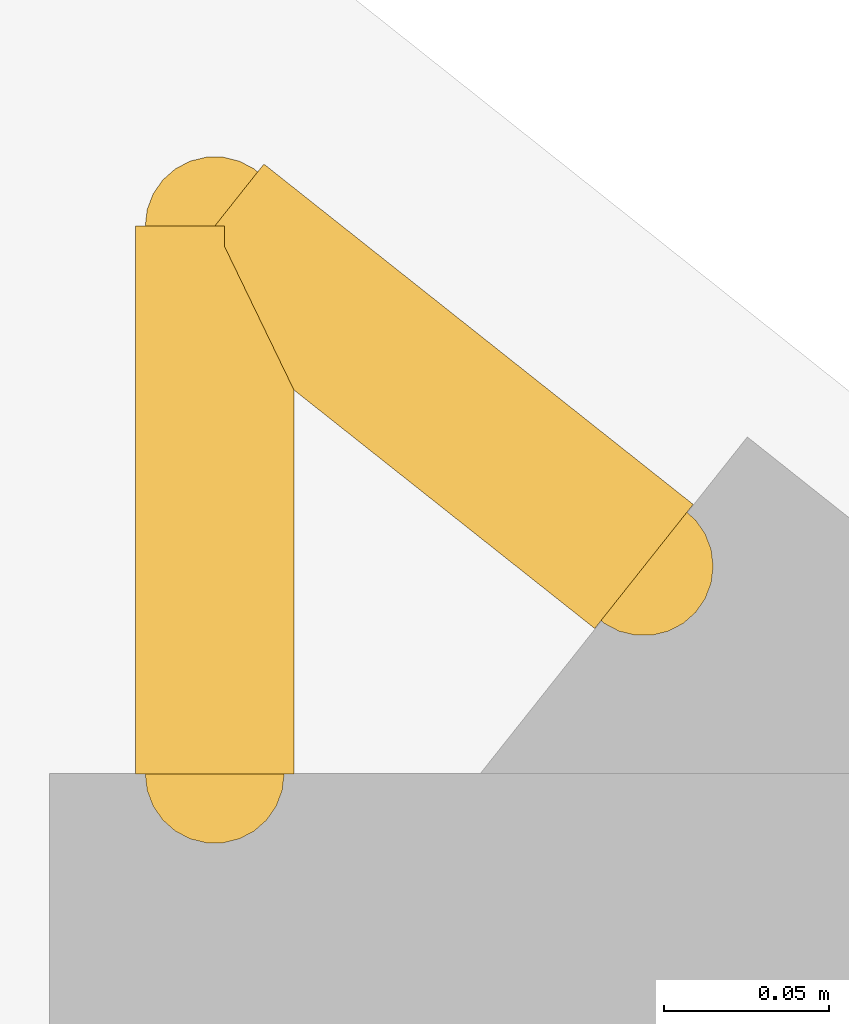
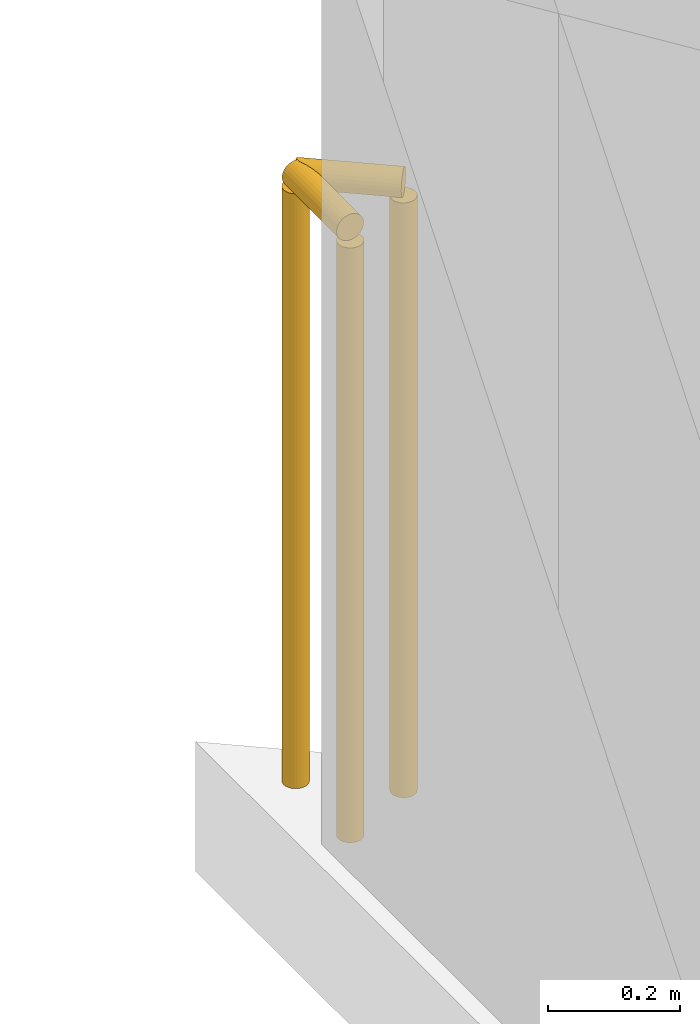
# One storey, part 16 of 16: 2 railings.
"""IFC4 building model written with IfcOpenShell, lengths in metres."""

from ifc_helpers import new_model, si_unit, direction, frame, origin, origin_2d, place, context, subcontext, project, spatial, circle, extrude, material, type_object, element, save


model = new_model("IFC4")

# Units and contexts
model_context = context("Model", 3, precision=1e-05, world=origin(), true_north=direction((0.0, 1.0)))
body_context = subcontext(model_context, "Body", "Model", "MODEL_VIEW")
ifc_project = project(units=[si_unit("LENGTHUNIT", "METRE"), si_unit("AREAUNIT", "SQUARE_METRE"), si_unit("VOLUMEUNIT", "CUBIC_METRE"), si_unit("PLANEANGLEUNIT", "RADIAN"), si_unit("MASSUNIT", "GRAM", prefix="KILO")], contexts=[model_context])

# Site, building, storey
site_placement = place(None, origin())
site = spatial("IfcSite", under=ifc_project, at=site_placement, CompositionType="ELEMENT")
building_placement = place(site_placement, origin())
building = spatial("IfcBuilding", under=site, at=building_placement, Name="Varnakote Quay Hospital", CompositionType="ELEMENT")
storey_placement = place(building_placement, frame((0.0, 0.0, 264.449951171875)))
storey = spatial("IfcBuildingStorey", under=building, at=storey_placement, Name="L65", CompositionType="ELEMENT", Elevation=264.449951171875)

# Railings
ifc_material = material(Name="Anodised aluminium 6063-T6 Bronze", Category="aluminium")
railing_type = type_object("IfcRailingType", Name="RLG-EXT-GUARD-1150", PredefinedType="GUARDRAIL", material=ifc_material)
railing_1_placement = place(storey_placement, frame((2.47998046875, 41.268798828125, 0.0)))
element("IfcRailing", 1, at=railing_1_placement, inside=storey, type_object=railing_type, Name="L65 Slab Edge Perimeter Safety Guard", PredefinedType="GUARDRAIL", context=body_context, shape_type="SweptSolid", body=[
    extrude(circle(Radius=0.02392578125, at=origin_2d()), frame((0.0, 0.0, 1.1259765625), z_axis=(0.0, 1.0, 0.0), x_axis=(-1.0, 0.0, 0.0)), (0.0, 0.0, 1.0), 0.16552734375),
    extrude(circle(Radius=0.02099609375, at=origin_2d()), origin(), (0.0, 0.0, 1.0), 1.101806640625),
    extrude(circle(Radius=0.02099609375, at=origin_2d()), frame((0.0, 0.16552734375, 0.0)), (0.0, 0.0, 1.0), 1.101806640625),
])
railing_2_placement = place(storey_placement, frame((2.47998046875, 41.434326171875, 0.0)))
element("IfcRailing", 2, at=railing_2_placement, inside=storey, type_object=railing_type, Name="L65 Slab Edge Perimeter Safety Guard", PredefinedType="GUARDRAIL", context=body_context, shape_type="SweptSolid", body=[
    extrude(circle(Radius=0.02392578125, at=origin_2d()), frame((0.0, 0.0, 1.1259765625), z_axis=(0.783596767237, -0.621269753308, 0.0), x_axis=(0.621269753308, 0.783596767237, 0.0)), (0.0, 0.0, 1.0), 0.16552734375),
    extrude(circle(Radius=0.02099609375, at=origin_2d()), origin(), (0.0, 0.0, 1.0), 1.101806640625),
    extrude(circle(Radius=0.02099609375, at=origin_2d()), frame((0.129638671875, -0.102783203125, 0.0)), (0.0, 0.0, 1.0), 1.101806640625),
])

save(model, "model.ifc")
